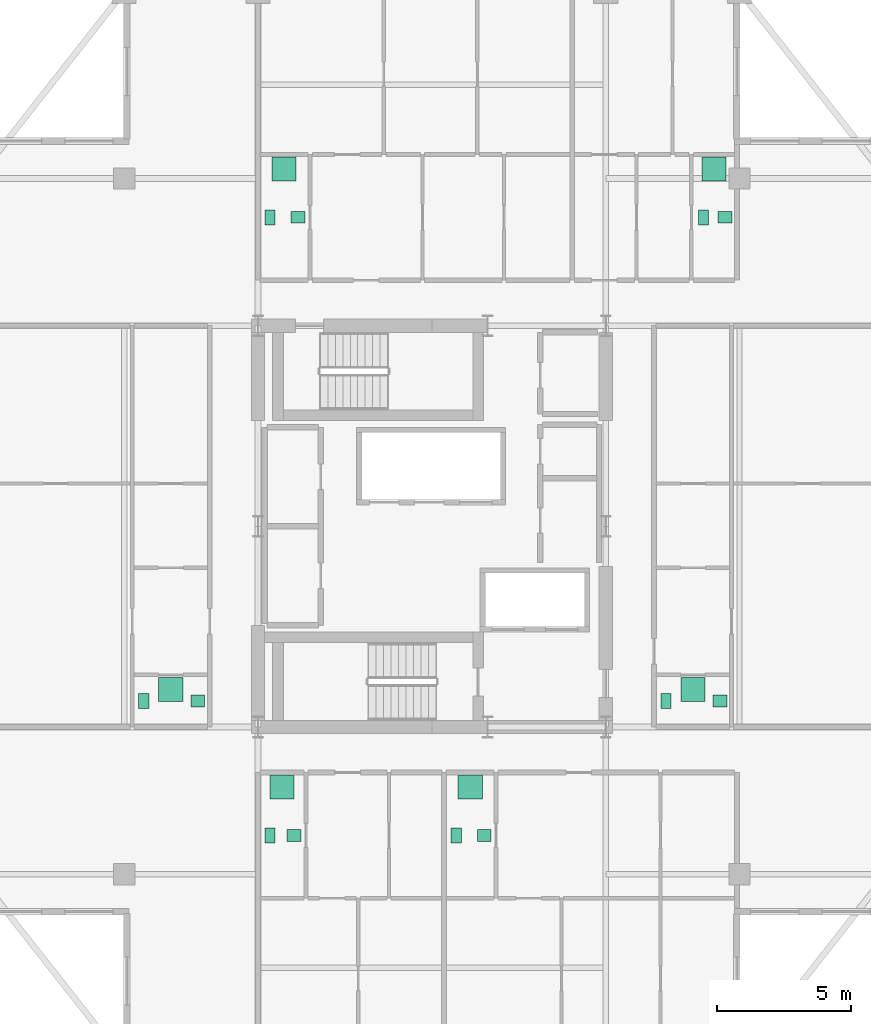
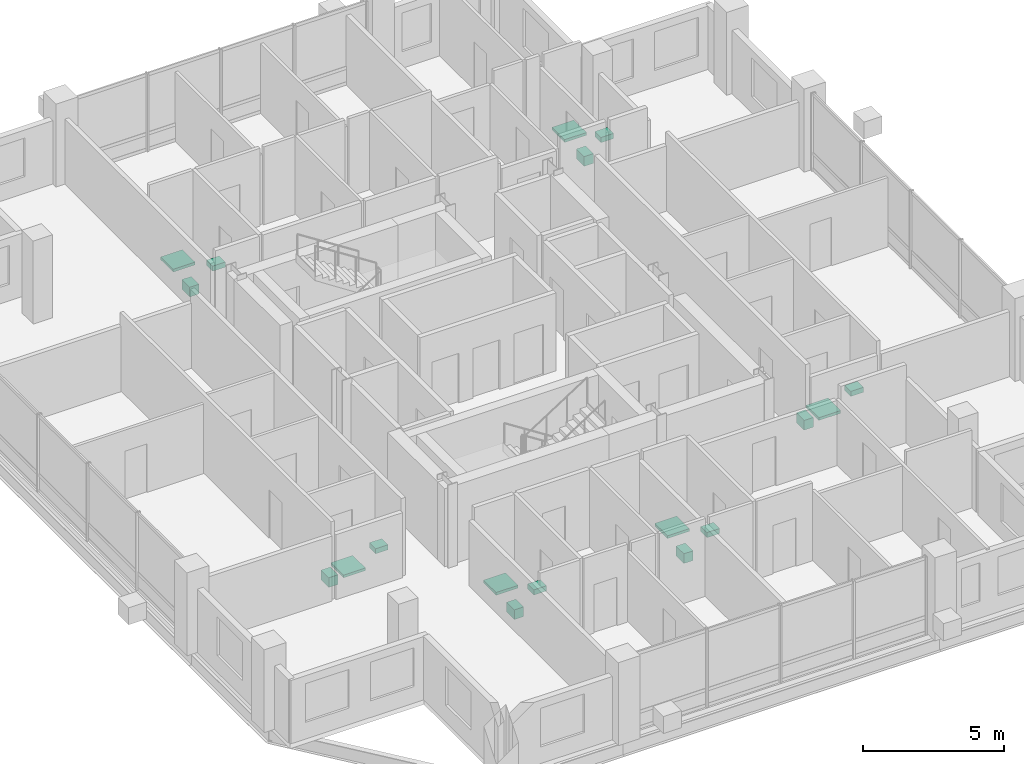
# One storey, part 22 of 22: 18 sanitary terminals.
"""IFC4 building model written with IfcOpenShell, lengths in metres."""

from ifc_helpers import new_model, si_unit, direction, frame, origin, origin_2d, place, context, subcontext, project, spatial, rectangle, extrude, material, type_object, element, save


model = new_model("IFC4")

# Units and contexts
model_context = context("Model", 3, precision=1e-05, world=origin(), true_north=direction((0.0, 1.0)))
body_context = subcontext(model_context, "Body", "Model", "MODEL_VIEW")
ifc_project = project(units=[si_unit("LENGTHUNIT", "METRE"), si_unit("AREAUNIT", "SQUARE_METRE"), si_unit("VOLUMEUNIT", "CUBIC_METRE"), si_unit("PLANEANGLEUNIT", "RADIAN"), si_unit("MASSUNIT", "GRAM", prefix="KILO")], contexts=[model_context])

# Site, building, storey
site_placement = place(None, origin())
site = spatial("IfcSite", under=ifc_project, at=site_placement, CompositionType="ELEMENT")
building_placement = place(site_placement, origin())
building = spatial("IfcBuilding", under=site, at=building_placement, Name="Barlavira Tower and Art Museum", CompositionType="ELEMENT")
storey_placement = place(building_placement, frame((0.0, 0.0, 243.89990234375)))
storey = spatial("IfcBuildingStorey", under=building, at=storey_placement, Name="L63", CompositionType="ELEMENT", Elevation=243.89990234375)

# Sanitary terminals
ifc_material = material(Name="Vitreous glazed ceramic", Category="ceramic")
sanitary_terminal_type_1 = type_object("IfcSanitaryTerminalType", Name="Countertop Ceramic Wash Hand Basin", PredefinedType="WASHHANDBASIN", material=ifc_material)
for number, where, z_axis, x_axis, name in (
    (1, (-5.14990234375, -11.550048828125, 0.740234375), (0.0, 0.0, 1.0), (1.0, 0.0, 0.0), "L63-S1-BTH1 Wash Basin"),
    (2, (1.9599609375, -11.550048828125, 0.740234375), (0.0, 0.0, 1.0), (1.0, 0.0, 0.0), "L63-S2-BTH1 Wash Basin"),
    (3, (-5.0, 11.550048828125, 0.740234375), (0.0, 0.0, 1.0), (1.0, 0.0, 0.0), "L63-N1-BTH1 Wash Basin"),
    (4, (10.949951171875, 11.550048828125, 0.740234375), (0.0, 0.0, 1.0), (1.0, 0.0, 0.0), "L63-N2-BTH1 Wash Basin"),
    (5, (-8.75, -6.52490234375, 0.740234375), (0.0, 0.0, 1.0), (1.0, 0.0, 0.0), "L63-W1-BTH1 Wash Basin"),
    (6, (10.77001953125, -6.52490234375, 0.740234375), (0.0, 0.0, 1.0), (1.0, 0.0, 0.0), "L63-E1-BTH1 Wash Basin"),
):
    element("IfcSanitaryTerminal", number, at=place(storey_placement, frame(where, z_axis=z_axis, x_axis=x_axis)), inside=storey, type_object=sanitary_terminal_type_1, Name=name, PredefinedType="WASHHANDBASIN", context=body_context, shape_type="SweptSolid", body=[
        extrude(rectangle(XDim=0.52001953125, YDim=0.43994140625, at=origin_2d()), origin(), (0.0, 0.0, 1.0), 0.219970703125),
    ])
sanitary_terminal_type_2 = type_object("IfcSanitaryTerminalType", Name="Walk-In Thermostatic Rain Shower Unit", PredefinedType="SHOWER", material=ifc_material)
for number, where, z_axis, x_axis, name in (
    (7, (-5.60009765625, -9.75, 0.0), (0.0, 0.0, 1.0), (1.0, 0.0, 0.0), "L63-S1-BTH1 Rain Shower"),
    (8, (1.43505859375, -9.75, 0.0), (0.0, 0.0, 1.0), (1.0, 0.0, 0.0), "L63-S2-BTH1 Rain Shower"),
    (9, (-5.52490234375, 13.35009765625, 0.0), (0.0, 0.0, 1.0), (1.0, 0.0, 0.0), "L63-N1-BTH1 Rain Shower"),
    (10, (10.550048828125, 13.35009765625, 0.0), (0.0, 0.0, 1.0), (1.0, 0.0, 0.0), "L63-N2-BTH1 Rain Shower"),
    (11, (-9.760009765625, -6.10009765625, 0.0), (0.0, 0.0, 1.0), (1.0, 0.0, 0.0), "L63-W1-BTH1 Rain Shower"),
    (12, (9.760009765625, -6.10009765625, 0.0), (0.0, 0.0, 1.0), (1.0, 0.0, 0.0), "L63-E1-BTH1 Rain Shower"),
):
    element("IfcSanitaryTerminal", number, at=place(storey_placement, frame(where, z_axis=z_axis, x_axis=x_axis)), inside=storey, type_object=sanitary_terminal_type_2, Name=name, PredefinedType="SHOWER", context=body_context, shape_type="SweptSolid", body=[
        extrude(rectangle(XDim=0.89990234375, YDim=0.89990234375, at=origin_2d()), origin(), (0.0, 0.0, 1.0), 0.1201171875),
    ])
sanitary_terminal_type_3 = type_object("IfcSanitaryTerminalType", Name="Wall-Hung Dual-Flush Vitreous WC Pan", PredefinedType="TOILETPAN", material=ifc_material)
for number, where, z_axis, x_axis, name in (
    (13, (-6.050048828125, -11.550048828125, 0.000244140625), (0.0, 0.0, 1.0), (1.0, 0.0, 0.0), "L63-S1-BTH1 WC Pan"),
    (14, (0.909912109375, -11.550048828125, 0.000244140625), (0.0, 0.0, 1.0), (1.0, 0.0, 0.0), "L63-S2-BTH1 WC Pan"),
    (15, (-6.050048828125, 11.550048828125, 0.000244140625), (0.0, 0.0, 1.0), (1.0, 0.0, 0.0), "L63-N1-BTH1 WC Pan"),
    (16, (10.14990234375, 11.550048828125, 0.000244140625), (0.0, 0.0, 1.0), (1.0, 0.0, 0.0), "L63-N2-BTH1 WC Pan"),
    (17, (-10.77001953125, -6.52490234375, 0.000244140625), (0.0, 0.0, 1.0), (1.0, 0.0, 0.0), "L63-W1-BTH1 WC Pan"),
    (18, (8.75, -6.52490234375, 0.000244140625), (0.0, 0.0, 1.0), (1.0, 0.0, 0.0), "L63-E1-BTH1 WC Pan"),
):
    element("IfcSanitaryTerminal", number, at=place(storey_placement, frame(where, z_axis=z_axis, x_axis=x_axis)), inside=storey, type_object=sanitary_terminal_type_3, Name=name, PredefinedType="TOILETPAN", context=body_context, shape_type="SweptSolid", body=[
        extrude(rectangle(XDim=0.3798828125, YDim=0.56005859375, at=origin_2d()), origin(), (0.0, 0.0, 1.0), 0.419921875),
    ])

save(model, "model.ifc")
